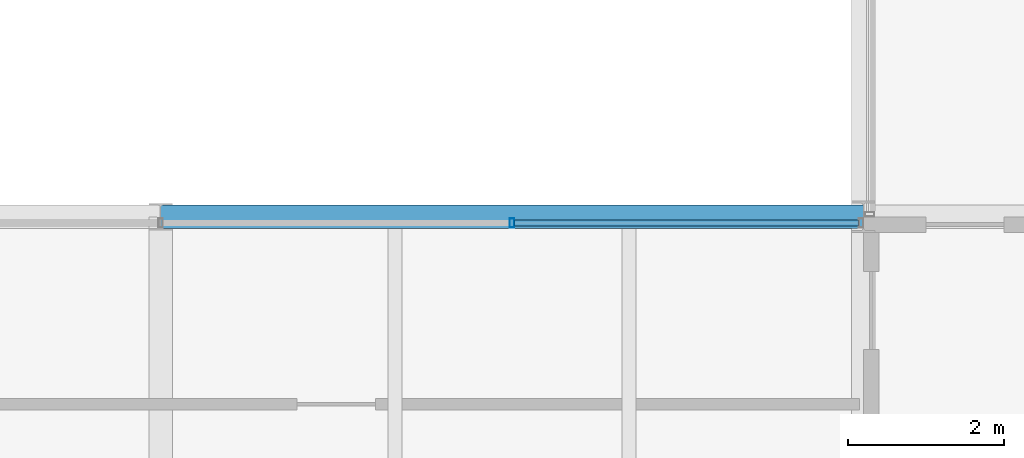
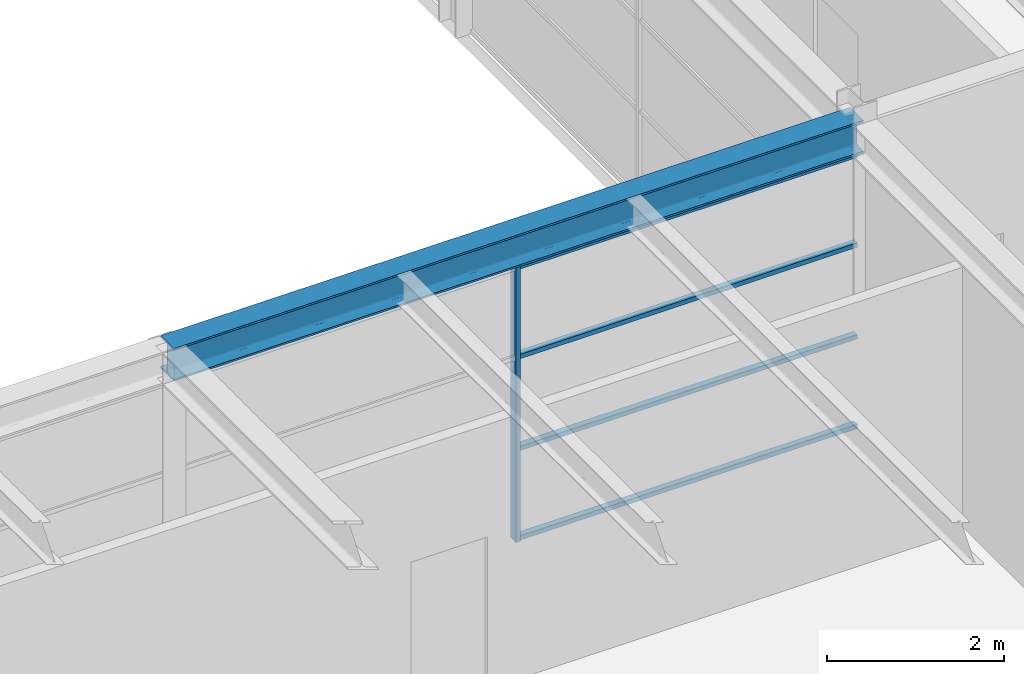
# One storey, part 39 of 153: 5 members, 1 beam, 1 element without a shape of its own.
"""IFC4 building model written with IfcOpenShell, lengths in metres."""

from ifc_helpers import new_model, si_unit, direction, frame, origin, origin_2d, place, context, subcontext, project, spatial, hollow_rectangle, i_section, extrude, material, material_profile, profile_set, type_object, element, aggregate, save


model = new_model("IFC4")

# Units and contexts
model_context = context("Model", 3, precision=1e-05, world=origin(), true_north=direction((0.0, 1.0)))
body_context = subcontext(model_context, "Body", "Model", "MODEL_VIEW")
ifc_project = project(units=[si_unit("LENGTHUNIT", "METRE"), si_unit("AREAUNIT", "SQUARE_METRE"), si_unit("VOLUMEUNIT", "CUBIC_METRE"), si_unit("PLANEANGLEUNIT", "RADIAN"), si_unit("MASSUNIT", "GRAM", prefix="KILO")], contexts=[model_context])

# Site, building, storey
site_placement = place(None, origin())
site = spatial("IfcSite", under=ifc_project, at=site_placement, CompositionType="ELEMENT")
building_placement = place(site_placement, origin())
building = spatial("IfcBuilding", under=site, at=building_placement, Name="Kallimachos Central Library", CompositionType="ELEMENT")
storey_placement = place(building_placement, frame((0.0, 0.0, 5.39990234375)))
storey = spatial("IfcBuildingStorey", under=building, at=storey_placement, Name="L01", CompositionType="ELEMENT", Elevation=5.39990234375)

# Curtain wall, members
ifc_material_1 = material(Name="Aluminium and laminated glass", Category="aluminium")
curtain_wall_type = type_object("IfcCurtainWallType", Name="Atrium glazed screen", PredefinedType="NOTDEFINED", material=ifc_material_1)
curtain_wall_placement = place(storey_placement, origin())
curtain_wall = element("IfcCurtainWall", 1, at=curtain_wall_placement, inside=storey, type_object=curtain_wall_type, Name="L01 atrium screen S", PredefinedType="NOTDEFINED")
ifc_material_2 = material(Name="Anodised aluminium", Category="aluminium")
ifc_material_profile_1 = material_profile(ifc_material_2, hollow_rectangle(XDim=0.06005859375, YDim=0.1201171875, WallThickness=0.00390625, at=origin_2d()), Name="ALU MULLION 60x120")
ifc_profile_set_1 = profile_set([ifc_material_profile_1], Name="Anodised aluminium")
member_type_1 = type_object("IfcMemberType", Name="Atrium screen mullion", PredefinedType="MULLION", material=ifc_profile_set_1)
member_1_placement = place(storey_placement, frame((97.0, 56.919921875, 0.0), z_axis=(0.0, 0.0, 1.0), x_axis=(1.0, 0.0, 0.0)))
member_1 = element("IfcMember", 2, at=member_1_placement, type_object=member_type_1, Name="CW mullion 6", PredefinedType="MULLION", context=body_context, shape_type="SweptSolid", body=[
    extrude(hollow_rectangle(XDim=0.06005859375, YDim=0.1201171875, WallThickness=0.00390625, at=origin_2d()), origin(), (0.0, 0.0, 1.0), 3.800048828125),
])
ifc_material_3 = material(Name="Anodised aluminium", Category="aluminium")
ifc_material_profile_2 = material_profile(ifc_material_3, hollow_rectangle(XDim=0.06005859375, YDim=0.080078125, WallThickness=0.00390625, at=origin_2d()), Name="ALU TRANSOM 60x80")
ifc_profile_set_2 = profile_set([ifc_material_profile_2], Name="Anodised aluminium")
member_type_2 = type_object("IfcMemberType", Name="Atrium screen transom", PredefinedType="USERDEFINED", material=ifc_profile_set_2)
member_2_placement = place(storey_placement, frame((97.030029296875, 56.919921875, 0.030029296875), z_axis=(1.0, 0.0, 0.0), x_axis=(0.0, 0.0, 1.0)))
member_2 = element("IfcMember", 3, at=member_2_placement, type_object=member_type_2, Name="CW transom 6.1", ObjectType="TRANSOM", PredefinedType="USERDEFINED", context=body_context, shape_type="SweptSolid", body=[
    extrude(hollow_rectangle(XDim=0.06005859375, YDim=0.080078125, WallThickness=0.00390625, at=origin_2d()), origin(), (0.0, 0.0, 1.0), 4.409912109375),
])
member_3_placement = place(storey_placement, frame((97.030029296875, 56.919921875, 1.266845703125), z_axis=(1.0, 0.0, 0.0), x_axis=(0.0, 0.0, 1.0)))
member_3 = element("IfcMember", 4, at=member_3_placement, type_object=member_type_2, Name="CW transom 6.2", ObjectType="TRANSOM", PredefinedType="USERDEFINED", context=body_context, shape_type="SweptSolid", body=[
    extrude(hollow_rectangle(XDim=0.06005859375, YDim=0.080078125, WallThickness=0.00390625, at=origin_2d()), origin(), (0.0, 0.0, 1.0), 4.409912109375),
])
member_4_placement = place(storey_placement, frame((97.030029296875, 56.919921875, 2.533447265625), z_axis=(1.0, 0.0, 0.0), x_axis=(0.0, 0.0, 1.0)))
member_4 = element("IfcMember", 5, at=member_4_placement, type_object=member_type_2, Name="CW transom 6.3", ObjectType="TRANSOM", PredefinedType="USERDEFINED", context=body_context, shape_type="SweptSolid", body=[
    extrude(hollow_rectangle(XDim=0.06005859375, YDim=0.080078125, WallThickness=0.00390625, at=origin_2d()), origin(), (0.0, 0.0, 1.0), 4.409912109375),
])
member_5_placement = place(storey_placement, frame((97.030029296875, 56.919921875, 3.77001953125), z_axis=(1.0, 0.0, 0.0), x_axis=(0.0, 0.0, 1.0)))
member_5 = element("IfcMember", 6, at=member_5_placement, type_object=member_type_2, Name="CW transom 6.4", ObjectType="TRANSOM", PredefinedType="USERDEFINED", context=body_context, shape_type="SweptSolid", body=[
    extrude(hollow_rectangle(XDim=0.06005859375, YDim=0.080078125, WallThickness=0.00390625, at=origin_2d()), origin(), (0.0, 0.0, 1.0), 4.409912109375),
])
aggregate(curtain_wall, [member_1, member_2, member_3, member_4, member_5])

# Beam
ifc_material_4 = material(Name="Steel S355J2", Category="steel")
ifc_material_profile_3 = material_profile(ifc_material_4, i_section(OverallWidth=0.300048828125, OverallDepth=0.449951171875, WebThickness=0.013916015625, FlangeThickness=0.02587890625, FilletRadius=0.027099609375, at=origin_2d()), Name="HEB 450")
ifc_profile_set_3 = profile_set([ifc_material_profile_3], Name="Steel S355J2")
beam_type = type_object("IfcBeamType", Name="HEB 450 beam", PredefinedType="BEAM", material=ifc_profile_set_3)
beam_placement = place(storey_placement, frame((92.5, 57.0, 4.025146484375), z_axis=(1.0, 0.0, 0.0), x_axis=(0.0, 1.0, 0.0)))
element("IfcBeam", 7, at=beam_placement, inside=storey, type_object=beam_type, Name="V4-BEM-L01-048", PredefinedType="BEAM", context=body_context, shape_type="SweptSolid", body=[
    extrude(i_section(OverallWidth=0.300048828125, OverallDepth=0.449951171875, WebThickness=0.013916015625, FlangeThickness=0.02587890625, FilletRadius=0.027099609375, at=origin_2d()), origin(), (0.0, 0.0, 1.0), 9.0),
])

save(model, "model.ifc")
